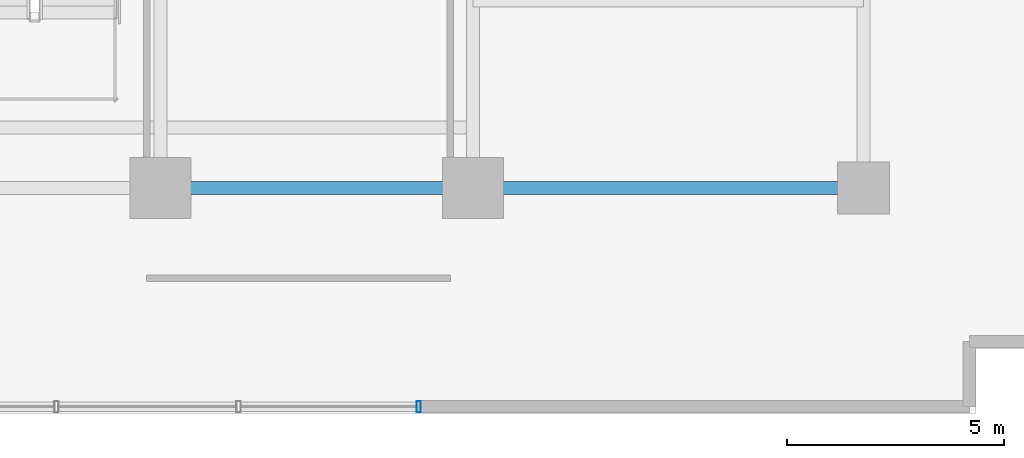
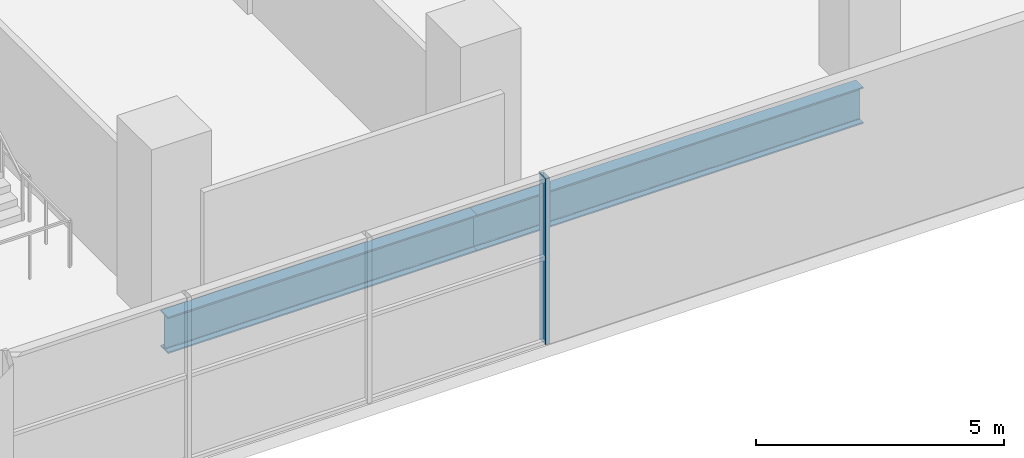
# One storey, part 6 of 21: 2 beams, 1 member, 1 element without a shape of its own.
"""IFC4 building model written with IfcOpenShell, lengths in metres."""

from ifc_helpers import new_model, si_unit, direction, frame, origin, origin_2d, place, context, subcontext, project, spatial, hollow_rectangle, i_section, extrude, source, transform, mapped, material, layer, layer_set, material_profile, profile_set, type_object, element, aggregate, save


model = new_model("IFC4")

# Units and contexts
model_context = context("Model", 3, precision=1e-05, world=origin(), true_north=direction((0.0, 1.0)))
body_context = subcontext(model_context, "Body", "Model", "MODEL_VIEW")
ifc_project = project(units=[si_unit("LENGTHUNIT", "METRE"), si_unit("AREAUNIT", "SQUARE_METRE"), si_unit("VOLUMEUNIT", "CUBIC_METRE"), si_unit("PLANEANGLEUNIT", "RADIAN"), si_unit("MASSUNIT", "GRAM", prefix="KILO")], contexts=[model_context])

# Site, building, storey
site_placement = place(None, origin())
site = spatial("IfcSite", under=ifc_project, at=site_placement, CompositionType="ELEMENT")
building_placement = place(site_placement, origin())
building = spatial("IfcBuilding", under=site, at=building_placement, Name="Zarnakvel Exchange Tower", CompositionType="ELEMENT")
storey_placement = place(building_placement, frame((0.0, 0.0, 18.199951171875)))
storey = spatial("IfcBuildingStorey", under=building, at=storey_placement, Name="L04", CompositionType="ELEMENT", Elevation=18.199951171875)

# Beams
ifc_material_1 = material(Name="Steel S355", Category="steel")
ifc_material_profile_1 = material_profile(ifc_material_1, i_section(OverallWidth=0.300048828125, OverallDepth=0.89990234375, WebThickness=0.0185546875, FlangeThickness=0.034912109375, FilletRadius=0.030029296875, at=origin_2d()))
ifc_profile_set_1 = profile_set([ifc_material_profile_1], Name="Steel S355")
beam_type = type_object("IfcBeamType", Name="G-01", PredefinedType="BEAM", material=ifc_profile_set_1)
beam_1_placement = place(storey_placement, frame((14.39990234375, -18.199951171875, -0.75), z_axis=(1.0, 0.0, 0.0), x_axis=(0.0, 1.0, 0.0)))
element("IfcBeam", 1, at=beam_1_placement, inside=storey, type_object=beam_type, Name="L04 Primary E-W Girder Y=-18.2", PredefinedType="BEAM", context=body_context, shape_type="SweptSolid", body=[
    extrude(i_section(OverallWidth=0.300048828125, OverallDepth=0.89990234375, WebThickness=0.0185546875, FlangeThickness=0.034912109375, FilletRadius=0.030029296875, at=origin_2d()), origin(), (0.0, 0.0, 1.0), 7.2001953125),
])
beam_2_placement = place(storey_placement, frame((21.60009765625, -18.199951171875, -0.75), z_axis=(1.0, 0.0, 0.0), x_axis=(0.0, 1.0, 0.0)))
element("IfcBeam", 2, at=beam_2_placement, inside=storey, type_object=beam_type, Name="L04 Primary E-W Girder Y=-18.2", PredefinedType="BEAM", context=body_context, shape_type="SweptSolid", body=[
    extrude(i_section(OverallWidth=0.300048828125, OverallDepth=0.89990234375, WebThickness=0.0185546875, FlangeThickness=0.034912109375, FilletRadius=0.030029296875, at=origin_2d()), origin(), (0.0, 0.0, 1.0), 9.0),
])

# Curtain wall, member
ifc_material_2 = material(Name="Architectural Bronze Anodised Aluminium", Category="aluminium")
ifc_layer = layer(ifc_material_2, 0.260009765625)
ifc_layer_set = layer_set([ifc_layer], Name="Architectural Bronze Anodised Aluminium")
curtain_wall_type = type_object("IfcCurtainWallType", Name="CW-01", PredefinedType="NOTDEFINED", material=ifc_layer_set)
curtain_wall_placement = place(storey_placement, origin())
curtain_wall = element("IfcCurtainWall", 3, at=curtain_wall_placement, inside=storey, type_object=curtain_wall_type, Name="L04 Curtain Wall CW-L04-S2 (CW-01)", PredefinedType="NOTDEFINED")
ifc_material_profile_2 = material_profile(ifc_material_2, hollow_rectangle(XDim=0.260009765625, YDim=0.10009765625, WallThickness=0.006103515625, at=origin_2d()))
ifc_profile_set_2 = profile_set([ifc_material_profile_2], Name="Architectural Bronze Anodised Aluminium")
member_type = type_object("IfcMemberType", Name="CWM-01", PredefinedType="MULLION", material=ifc_profile_set_2)
shared_shape = source(origin(), body_context, "Body", "SweptSolid", [
    extrude(hollow_rectangle(XDim=0.260009765625, YDim=0.10009765625, WallThickness=0.006103515625, at=origin_2d()), origin(), (0.0, 0.0, 1.0), 4.080078125),
])
member_placement = place(storey_placement, frame((20.35009765625, -23.239990234375, 0.0), z_axis=(0.0, 0.0, 1.0), x_axis=(0.0, 1.0, 0.0)))
member = element("IfcMember", 4, at=member_placement, type_object=member_type, Name="CW-01 mullion 4", PredefinedType="MULLION", context=body_context, shape_type="MappedRepresentation", body=[
    mapped(shared_shape, transform((0.0, 0.0, 0.0), x_axis=(1.0, 0.0, 0.0), y_axis=(0.0, 1.0, 0.0), z_axis=(0.0, 0.0, 1.0), scale=1.0)),
])
aggregate(curtain_wall, [member])

save(model, "model.ifc")
